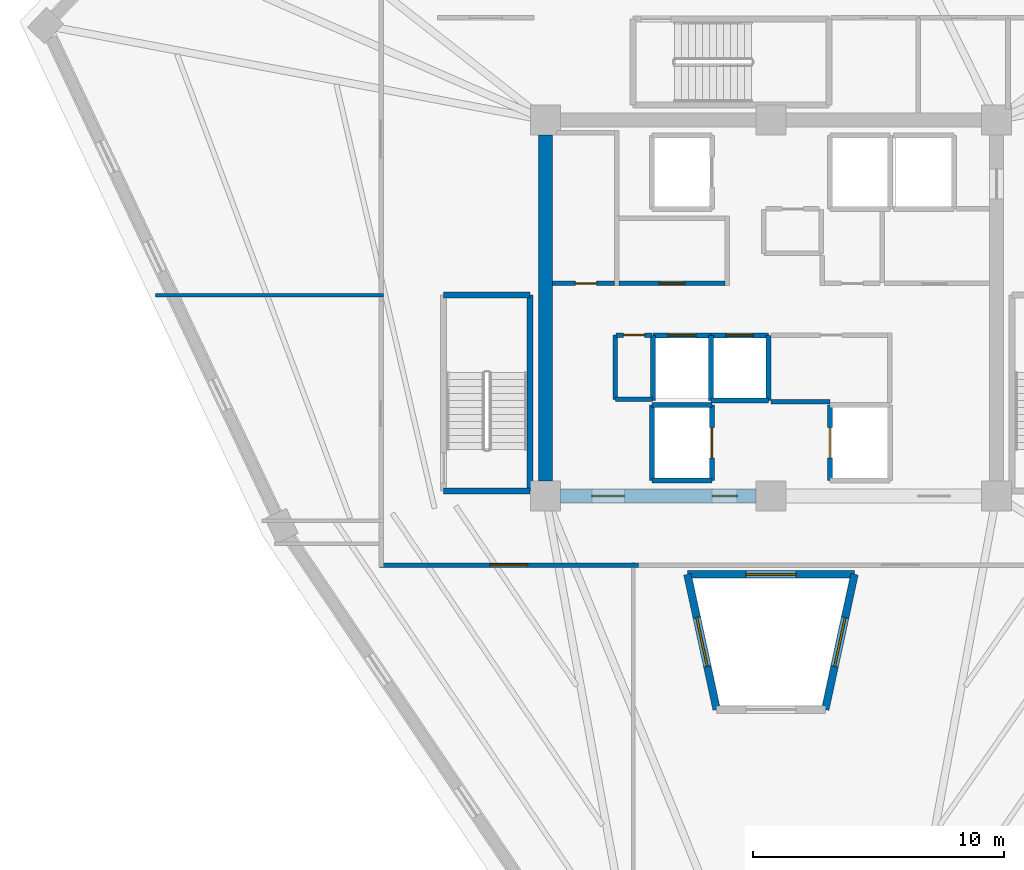
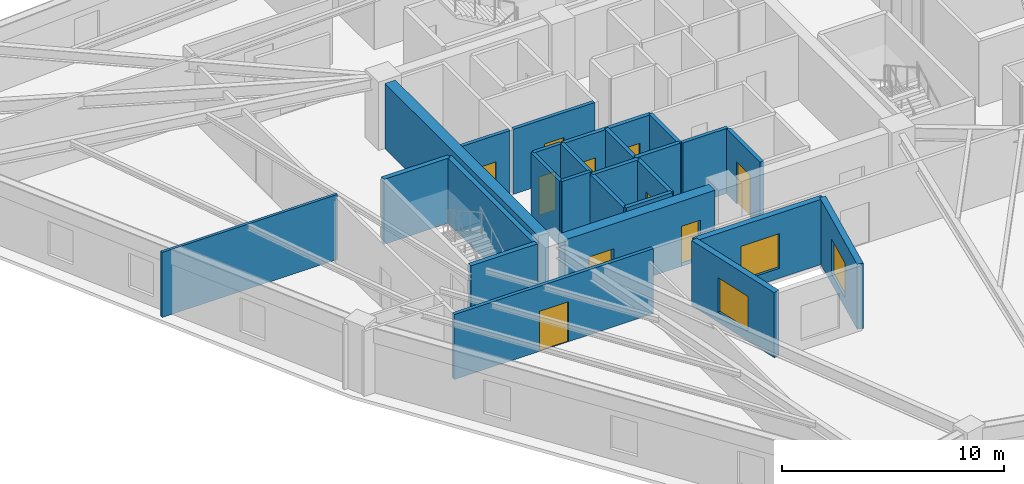
# One storey, part 3 of 8: 27 walls, 10 doors, 3 windows, 13 openings.
"""IFC4 building model written with IfcOpenShell, lengths in metres."""

from ifc_helpers import new_model, si_unit, direction, frame, frame_2d, origin, place, context, subcontext, project, spatial, rectangle, extrude, source, transform, mapped, material, layer, layer_set, type_object, element, fill, save


model = new_model("IFC4")

# Units and contexts
model_context = context("Model", 3, precision=1e-05, world=origin(), true_north=direction((0.0, 1.0)))
body_context = subcontext(model_context, "Body", "Model", "MODEL_VIEW")
ifc_project = project(units=[si_unit("LENGTHUNIT", "METRE"), si_unit("AREAUNIT", "SQUARE_METRE"), si_unit("VOLUMEUNIT", "CUBIC_METRE"), si_unit("PLANEANGLEUNIT", "RADIAN"), si_unit("MASSUNIT", "GRAM", prefix="KILO")], contexts=[model_context])

# Site, building, storey
site_placement = place(None, origin())
site = spatial("IfcSite", under=ifc_project, at=site_placement, CompositionType="ELEMENT")
building_placement = place(site_placement, origin())
building = spatial("IfcBuilding", under=site, at=building_placement, Name="Liaohun Quay Tower", CompositionType="ELEMENT")
storey_placement = place(building_placement, frame((0.0, 0.0, 343.5)))
storey = spatial("IfcBuildingStorey", under=building, at=storey_placement, Name="L89", CompositionType="ELEMENT", Elevation=343.5)

# Wall, opening, window
ifc_material_1 = material(Name="Concrete C50", Category="concrete")
ifc_layer_1 = layer(ifc_material_1, 0.300048828125, Name="Concrete C50", Category="concrete")
ifc_layer_set_1 = layer_set([ifc_layer_1], Name="Concrete C50")
wall_type_1 = type_object("IfcWallType", Name="WAL-ATR-300", PredefinedType="SOLIDWALL", material=ifc_layer_set_1)
wall_1_placement = place(storey_placement, frame((57.83203125, 37.970947265625, 0.0), z_axis=(0.0, 0.0, 1.0), x_axis=(-0.211433211418, 0.977392447848, 0.0)))
wall_1 = element("IfcWall", 1, at=wall_1_placement, inside=storey, type_object=wall_type_1, Name="L89 Atrium Fire Compartment Wall 1", PredefinedType="SOLIDWALL", context=body_context, shape_type="SweptSolid", body=[
    extrude(rectangle(XDim=5.524169921875, YDim=0.300048828125, at=frame_2d((2.76220703125, 0.0))), origin(), (0.0, 0.0, 1.0), 3.570068359375),
])
shared_shape_1 = source(origin(), body_context, "Body", "SweptSolid", [
    extrude(rectangle(XDim=2.0, YDim=1.89990234375, at=frame_2d((1.0, 0.949951171875))), frame((0.0, 0.159912109375, 0.0), z_axis=(0.0, -1.0, 0.0), x_axis=(1.0, 0.0, 0.0)), (0.0, 0.0, 1.0), 0.320068359375),
])
opening_1_placement = place(wall_1_placement, frame((1.761962890625, 0.0, 0.550048828125)))
opening_1 = element("IfcOpeningElement", 2, at=opening_1_placement, cuts=wall_1, Name="Opening W07", PredefinedType="OPENING", context=body_context, shape_type="MappedRepresentation", body=[
    mapped(shared_shape_1, transform((0.0, 0.0, 0.0), x_axis=(1.0, 0.0, 0.0), y_axis=(0.0, 1.0, 0.0), z_axis=(0.0, 0.0, 1.0), scale=1.0)),
])
ifc_material_2 = material(Name="Class A 180-min fire-resistant insulated glazing", Category="glass")
window_type = type_object("IfcWindowType", Name="WIN-ATR-FIR", PartitioningType="DOUBLE_PANEL_VERTICAL", PredefinedType="WINDOW", material=ifc_material_2)
shared_shape_2 = source(origin(), body_context, "Body", "SweptSolid", [
    extrude(rectangle(XDim=2.0, YDim=1.89990234375, at=frame_2d((1.0, 0.949951171875))), frame((0.0, 0.030029296875, 0.0), z_axis=(0.0, -1.0, 0.0), x_axis=(1.0, 0.0, 0.0)), (0.0, 0.0, 1.0), 0.06005859375),
])
window_1_placement = place(opening_1_placement, origin())
window_1 = element("IfcWindow", 3, at=window_1_placement, inside=storey, type_object=window_type, Name="L89 Atrium Fire-Resistant Glazing W07-1", OverallHeight=1.89990234375, OverallWidth=2.0, PartitioningType="DOUBLE_PANEL_VERTICAL", PredefinedType="WINDOW", context=body_context, shape_type="MappedRepresentation", body=[
    mapped(shared_shape_2, transform((0.0, 0.0, 0.0), x_axis=(1.0, 0.0, 0.0), y_axis=(0.0, 1.0, 0.0), z_axis=(0.0, 0.0, 1.0), scale=1.0)),
])
fill(opening_1, window_1)

wall_2_placement = place(storey_placement, frame((56.6640625, 43.3701171875, 0.0), z_axis=(0.0, 0.0, 1.0), x_axis=(1.0, 0.0, 0.0)))
wall_2 = element("IfcWall", 4, at=wall_2_placement, inside=storey, type_object=wall_type_1, Name="L89 Atrium Fire Compartment Wall 2", PredefinedType="SOLIDWALL", context=body_context, shape_type="SweptSolid", body=[
    extrude(rectangle(XDim=6.671875, YDim=0.300048828125, at=frame_2d((3.3359375, 0.0))), origin(), (0.0, 0.0, 1.0), 3.570068359375),
])
opening_2_placement = place(wall_2_placement, frame((2.3359375, 0.0, 0.550048828125)))
opening_2 = element("IfcOpeningElement", 5, at=opening_2_placement, cuts=wall_2, Name="Opening W07", PredefinedType="OPENING", context=body_context, shape_type="MappedRepresentation", body=[
    mapped(shared_shape_1, transform((0.0, 0.0, 0.0), x_axis=(1.0, 0.0, 0.0), y_axis=(0.0, 1.0, 0.0), z_axis=(0.0, 0.0, 1.0), scale=1.0)),
])
window_2_placement = place(opening_2_placement, origin())
window_2 = element("IfcWindow", 6, at=window_2_placement, inside=storey, type_object=window_type, Name="L89 Atrium Fire-Resistant Glazing W07-2", OverallHeight=1.89990234375, OverallWidth=2.0, PartitioningType="DOUBLE_PANEL_VERTICAL", PredefinedType="WINDOW", context=body_context, shape_type="MappedRepresentation", body=[
    mapped(shared_shape_2, transform((0.0, 0.0, 0.0), x_axis=(1.0, 0.0, 0.0), y_axis=(0.0, 1.0, 0.0), z_axis=(0.0, 0.0, 1.0), scale=1.0)),
])
fill(opening_2, window_2)

wall_3_placement = place(storey_placement, frame((63.3359375, 43.3701171875, 0.0), z_axis=(0.0, 0.0, 1.0), x_axis=(-0.211433211418, -0.977392447848, 0.0)))
wall_3 = element("IfcWall", 7, at=wall_3_placement, inside=storey, type_object=wall_type_1, Name="L89 Atrium Fire Compartment Wall 3", PredefinedType="SOLIDWALL", context=body_context, shape_type="SweptSolid", body=[
    extrude(rectangle(XDim=5.524169921875, YDim=0.300048828125, at=frame_2d((2.76220703125, 0.0))), origin(), (0.0, 0.0, 1.0), 3.570068359375),
])
opening_3_placement = place(wall_3_placement, frame((1.761962890625, 0.0, 0.550048828125)))
opening_3 = element("IfcOpeningElement", 8, at=opening_3_placement, cuts=wall_3, Name="Opening W07", PredefinedType="OPENING", context=body_context, shape_type="MappedRepresentation", body=[
    mapped(shared_shape_1, transform((0.0, 0.0, 0.0), x_axis=(1.0, 0.0, 0.0), y_axis=(0.0, 1.0, 0.0), z_axis=(0.0, 0.0, 1.0), scale=1.0)),
])
window_3_placement = place(opening_3_placement, origin())
window_3 = element("IfcWindow", 9, at=window_3_placement, inside=storey, type_object=window_type, Name="L89 Atrium Fire-Resistant Glazing W07-3", OverallHeight=1.89990234375, OverallWidth=2.0, PartitioningType="DOUBLE_PANEL_VERTICAL", PredefinedType="WINDOW", context=body_context, shape_type="MappedRepresentation", body=[
    mapped(shared_shape_2, transform((0.0, 0.0, 0.0), x_axis=(1.0, 0.0, 0.0), y_axis=(0.0, 1.0, 0.0), z_axis=(0.0, 0.0, 1.0), scale=1.0)),
])
fill(opening_3, window_3)

# Wall, openings, doors
ifc_layer_2 = layer(ifc_material_1, 0.550048828125, Name="Concrete C50", Category="concrete")
ifc_layer_set_2 = layer_set([ifc_layer_2], Name="Concrete C50")
wall_type_2 = type_object("IfcWallType", Name="WAL-COR-Z4", PredefinedType="SHEAR", material=ifc_layer_set_2)
wall_4_placement = place(storey_placement, frame((59.39990234375, 46.5, 0.0), z_axis=(0.0, 0.0, 1.0), x_axis=(-1.0, 0.0, 0.0)))
wall_4 = element("IfcWall", 10, at=wall_4_placement, inside=storey, type_object=wall_type_2, Name="L89 Central Core Shear Wall S-W", PredefinedType="SHEAR", context=body_context, shape_type="SweptSolid", body=[
    extrude(rectangle(XDim=7.7998046875, YDim=0.550048828125, at=frame_2d((3.89990234375, 0.0))), origin(), (0.0, 0.0, 1.0), 3.570068359375),
])
shared_shape_3 = source(origin(), body_context, "Body", "SweptSolid", [
    extrude(rectangle(XDim=1.300048828125, YDim=2.199951171875, at=frame_2d((0.64990234375, 1.10009765625))), frame((0.0, 0.284912109375, 0.0), z_axis=(0.0, -1.0, 0.0), x_axis=(1.0, 0.0, 0.0)), (0.0, 0.0, 1.0), 0.570068359375),
])
opening_4_placement = place(wall_4_placement, frame((5.25, 0.0, 0.0)))
opening_4 = element("IfcOpeningElement", 11, at=opening_4_placement, cuts=wall_4, Name="Opening FD1", PredefinedType="OPENING", context=body_context, shape_type="MappedRepresentation", body=[
    mapped(shared_shape_3, transform((0.0, 0.0, 0.0), x_axis=(1.0, 0.0, 0.0), y_axis=(0.0, 1.0, 0.0), z_axis=(0.0, 0.0, 1.0), scale=1.0)),
])
shared_shape_4 = source(origin(), body_context, "Body", "SweptSolid", [
    extrude(rectangle(XDim=1.0, YDim=2.199951171875, at=frame_2d((0.5, 1.10009765625))), frame((0.0, 0.284912109375, 0.0), z_axis=(0.0, -1.0, 0.0), x_axis=(1.0, 0.0, 0.0)), (0.0, 0.0, 1.0), 0.570068359375),
])
opening_5_placement = place(wall_4_placement, frame((0.75, 0.0, 0.0)))
opening_5 = element("IfcOpeningElement", 12, at=opening_5_placement, cuts=wall_4, Name="Opening FD2", PredefinedType="OPENING", context=body_context, shape_type="MappedRepresentation", body=[
    mapped(shared_shape_4, transform((0.0, 0.0, 0.0), x_axis=(1.0, 0.0, 0.0), y_axis=(0.0, 1.0, 0.0), z_axis=(0.0, 0.0, 1.0), scale=1.0)),
])
ifc_material_3 = material(Name="Galvanised steel smokeproof fire door", Category="steel")
door_type_1 = type_object("IfcDoorType", Name="DOR-FFL-1300", OperationType="NOTDEFINED", PredefinedType="DOOR", material=ifc_material_3)
shared_shape_5 = source(origin(), body_context, "Body", "SweptSolid", [
    extrude(rectangle(XDim=1.300048828125, YDim=2.199951171875, at=frame_2d((0.64990234375, 1.10009765625))), frame((0.0, 0.02490234375, 0.0), z_axis=(0.0, -1.0, 0.0), x_axis=(1.0, 0.0, 0.0)), (0.0, 0.0, 1.0), 0.050048828125),
])
door_1_placement = place(opening_4_placement, origin())
door_1 = element("IfcDoor", 13, at=door_1_placement, inside=storey, type_object=door_type_1, Name="L89 West Core Lift Lobby Smokeproof Door", OperationType="SINGLE_SWING_RIGHT", OverallHeight=2.199951171875, OverallWidth=1.300048828125, PredefinedType="DOOR", context=body_context, shape_type="MappedRepresentation", body=[
    mapped(shared_shape_5, transform((0.0, 0.0, 0.0), x_axis=(1.0, 0.0, 0.0), y_axis=(0.0, 1.0, 0.0), z_axis=(0.0, 0.0, 1.0), scale=1.0)),
])
fill(opening_4, door_1)
ifc_material_4 = material(Name="Galvanised steel smokeproof lobby fire door", Category="steel")
door_type_2 = type_object("IfcDoorType", Name="DOR-FFL-1000", OperationType="NOTDEFINED", PredefinedType="DOOR", material=ifc_material_4)
shared_shape_6 = source(origin(), body_context, "Body", "SweptSolid", [
    extrude(rectangle(XDim=1.0, YDim=2.199951171875, at=frame_2d((0.5, 1.10009765625))), frame((0.0, 0.02490234375, 0.0), z_axis=(0.0, -1.0, 0.0), x_axis=(1.0, 0.0, 0.0)), (0.0, 0.0, 1.0), 0.050048828125),
])
door_2_placement = place(opening_5_placement, origin())
door_2 = element("IfcDoor", 14, at=door_2_placement, inside=storey, type_object=door_type_2, Name="L89 South Firefighting Lobby Smokeproof Door", OperationType="SINGLE_SWING_LEFT", OverallHeight=2.199951171875, OverallWidth=1.0, PredefinedType="DOOR", context=body_context, shape_type="MappedRepresentation", body=[
    mapped(shared_shape_6, transform((0.0, 0.0, 0.0), x_axis=(1.0, 0.0, 0.0), y_axis=(0.0, 1.0, 0.0), z_axis=(0.0, 0.0, 1.0), scale=1.0)),
])
fill(opening_5, door_2)

# Wall
wall_5_placement = place(storey_placement, frame((51.0, 47.10009765625, 0.0), z_axis=(0.0, 0.0, 1.0), x_axis=(0.0, 1.0, 0.0)))
element("IfcWall", 15, at=wall_5_placement, inside=storey, type_object=wall_type_2, Name="L89 Central Core Shear Wall W", PredefinedType="SHEAR", context=body_context, shape_type="SweptSolid", body=[
    extrude(rectangle(XDim=13.7998046875, YDim=0.550048828125, at=frame_2d((6.89990234375, 0.0))), origin(), (0.0, 0.0, 1.0), 3.570068359375),
])

# Wall, opening, door
ifc_material_5 = material(Name="Autoclaved aerated concrete blockwork", Category="masonry")
ifc_layer_3 = layer(ifc_material_5, 0.179931640625, Name="Autoclaved aerated concrete blockwork", Category="masonry")
ifc_layer_set_3 = layer_set([ifc_layer_3], Name="Autoclaved aerated concrete blockwork")
wall_type_3 = type_object("IfcWallType", Name="WAL-PRT-COR", PredefinedType="PARTITIONING", material=ifc_layer_set_3)
wall_6_placement = place(storey_placement, frame((53.93994140625, 54.97998046875, 0.0), z_axis=(0.0, 0.0, 1.0), x_axis=(1.0, 0.0, 0.0)))
wall_6 = element("IfcWall", 16, at=wall_6_placement, inside=storey, type_object=wall_type_3, Name="L89 Interior Partition Wall 002", PredefinedType="PARTITIONING", context=body_context, shape_type="SweptSolid", body=[
    extrude(rectangle(XDim=4.219970703125, YDim=0.179931640625, at=frame_2d((2.10986328125, 0.0))), origin(), (0.0, 0.0, 1.0), 3.570068359375),
])
shared_shape_7 = source(origin(), body_context, "Body", "SweptSolid", [
    extrude(rectangle(XDim=1.0, YDim=2.199951171875, at=frame_2d((0.5, 1.10009765625))), frame((0.0, 0.099853515625, 0.0), z_axis=(0.0, -1.0, 0.0), x_axis=(1.0, 0.0, 0.0)), (0.0, 0.0, 1.0), 0.199951171875),
])
opening_6_placement = place(wall_6_placement, frame((1.610107421875, 0.0, 0.0)))
opening_6 = element("IfcOpeningElement", 17, at=opening_6_placement, cuts=wall_6, Name="Opening OD1", PredefinedType="OPENING", context=body_context, shape_type="MappedRepresentation", body=[
    mapped(shared_shape_7, transform((0.0, 0.0, 0.0), x_axis=(1.0, 0.0, 0.0), y_axis=(0.0, 1.0, 0.0), z_axis=(0.0, 0.0, 1.0), scale=1.0)),
])
ifc_material_6 = material(Name="Solid-core oak veneer timber leaf in steel frame", Category="steel")
door_type_3 = type_object("IfcDoorType", Name="DOR-OFF-1000", OperationType="NOTDEFINED", PredefinedType="DOOR", material=ifc_material_6)
door_3_placement = place(opening_6_placement, origin())
door_3 = element("IfcDoor", 18, at=door_3_placement, inside=storey, type_object=door_type_3, Name="L89 Core Staff Pantry and Tea Room Door", OperationType="SINGLE_SWING_RIGHT", OverallHeight=2.199951171875, OverallWidth=1.0, PredefinedType="DOOR", context=body_context, shape_type="MappedRepresentation", body=[
    mapped(shared_shape_6, transform((0.0, 0.0, 0.0), x_axis=(1.0, 0.0, 0.0), y_axis=(0.0, 1.0, 0.0), z_axis=(0.0, 0.0, 1.0), scale=1.0)),
])
fill(opening_6, door_3)

wall_7_placement = place(storey_placement, frame((51.27490234375, 54.97998046875, 0.0), z_axis=(0.0, 0.0, 1.0), x_axis=(1.0, 0.0, 0.0)))
wall_7 = element("IfcWall", 19, at=wall_7_placement, inside=storey, type_object=wall_type_3, Name="L89 Interior Partition Wall 003", PredefinedType="PARTITIONING", context=body_context, shape_type="SweptSolid", body=[
    extrude(rectangle(XDim=2.485107421875, YDim=0.179931640625, at=frame_2d((1.24267578125, 0.0))), origin(), (0.0, 0.0, 1.0), 3.570068359375),
])
shared_shape_8 = source(origin(), body_context, "Body", "SweptSolid", [
    extrude(rectangle(XDim=0.85009765625, YDim=2.10009765625, at=frame_2d((0.425048828125, 1.050048828125))), frame((0.0, 0.099853515625, 0.0), z_axis=(0.0, -1.0, 0.0), x_axis=(1.0, 0.0, 0.0)), (0.0, 0.0, 1.0), 0.199951171875),
])
opening_7_placement = place(wall_7_placement, frame((0.9150390625, 0.0, 0.0)))
opening_7 = element("IfcOpeningElement", 20, at=opening_7_placement, cuts=wall_7, Name="Opening AD1", PredefinedType="OPENING", context=body_context, shape_type="MappedRepresentation", body=[
    mapped(shared_shape_8, transform((0.0, 0.0, 0.0), x_axis=(1.0, 0.0, 0.0), y_axis=(0.0, 1.0, 0.0), z_axis=(0.0, 0.0, 1.0), scale=1.0)),
])
ifc_material_7 = material(Name="Steel riser inspection fire door", Category="steel")
door_type_4 = type_object("IfcDoorType", Name="DOR-SHF-850", OperationType="NOTDEFINED", PredefinedType="DOOR", material=ifc_material_7)
shared_shape_9 = source(origin(), body_context, "Body", "SweptSolid", [
    extrude(rectangle(XDim=0.85009765625, YDim=2.10009765625, at=frame_2d((0.425048828125, 1.050048828125))), frame((0.0, 0.02490234375, 0.0), z_axis=(0.0, -1.0, 0.0), x_axis=(1.0, 0.0, 0.0)), (0.0, 0.0, 1.0), 0.050048828125),
])
door_4_placement = place(opening_7_placement, origin())
door_4 = element("IfcDoor", 21, at=door_4_placement, inside=storey, type_object=door_type_4, Name="L89 Core High-Zone Archive and Riser Store Door", OperationType="SINGLE_SWING_LEFT", OverallHeight=2.10009765625, OverallWidth=0.85009765625, PredefinedType="DOOR", context=body_context, shape_type="MappedRepresentation", body=[
    mapped(shared_shape_9, transform((0.0, 0.0, 0.0), x_axis=(1.0, 0.0, 0.0), y_axis=(0.0, 1.0, 0.0), z_axis=(0.0, 0.0, 1.0), scale=1.0)),
])
fill(opening_7, door_4)

wall_8_placement = place(storey_placement, frame((53.820068359375, 52.919921875, 0.0), z_axis=(0.0, 0.0, 1.0), x_axis=(1.0, 0.0, 0.0)))
wall_8 = element("IfcWall", 22, at=wall_8_placement, inside=storey, type_object=wall_type_3, Name="L89 Interior Partition Wall 007", PredefinedType="PARTITIONING", context=body_context, shape_type="SweptSolid", body=[
    extrude(rectangle(XDim=1.429931640625, YDim=0.179931640625, at=frame_2d((0.71484375, 0.0))), origin(), (0.0, 0.0, 1.0), 3.570068359375),
])
opening_8_placement = place(wall_8_placement, frame((0.2900390625, 0.0, 0.0)))
opening_8 = element("IfcOpeningElement", 23, at=opening_8_placement, cuts=wall_8, Name="Opening AD1", PredefinedType="OPENING", context=body_context, shape_type="MappedRepresentation", body=[
    mapped(shared_shape_8, transform((0.0, 0.0, 0.0), x_axis=(1.0, 0.0, 0.0), y_axis=(0.0, 1.0, 0.0), z_axis=(0.0, 0.0, 1.0), scale=1.0)),
])
door_5_placement = place(opening_8_placement, origin())
door_5 = element("IfcDoor", 24, at=door_5_placement, inside=storey, type_object=door_type_4, Name="L89 Mechanical Smoke Duct Room Door", OperationType="SINGLE_SWING_LEFT", OverallHeight=2.10009765625, OverallWidth=0.85009765625, PredefinedType="DOOR", context=body_context, shape_type="MappedRepresentation", body=[
    mapped(shared_shape_9, transform((0.0, 0.0, 0.0), x_axis=(1.0, 0.0, 0.0), y_axis=(0.0, 1.0, 0.0), z_axis=(0.0, 0.0, 1.0), scale=1.0)),
])
fill(opening_8, door_5)

wall_9_placement = place(storey_placement, frame((54.715087890625, 43.739990234375, 0.0), z_axis=(0.0, 0.0, 1.0), x_axis=(-1.0, 0.0, 0.0)))
wall_9 = element("IfcWall", 25, at=wall_9_placement, inside=storey, type_object=wall_type_3, Name="L89 Interior Partition Wall 021", PredefinedType="PARTITIONING", context=body_context, shape_type="SweptSolid", body=[
    extrude(rectangle(XDim=10.344970703125, YDim=0.179931640625, at=frame_2d((5.17236328125, 0.0))), origin(), (0.0, 0.0, 1.0), 3.570068359375),
])
shared_shape_10 = source(origin(), body_context, "Body", "SweptSolid", [
    extrude(rectangle(XDim=1.5, YDim=2.199951171875, at=frame_2d((0.75, 1.10009765625))), frame((0.0, 0.099853515625, 0.0), z_axis=(0.0, -1.0, 0.0), x_axis=(1.0, 0.0, 0.0)), (0.0, 0.0, 1.0), 0.199951171875),
])
opening_9_placement = place(wall_9_placement, frame((4.423095703125, 0.0, 0.0)))
opening_9 = element("IfcOpeningElement", 26, at=opening_9_placement, cuts=wall_9, Name="Opening OD2", PredefinedType="OPENING", context=body_context, shape_type="MappedRepresentation", body=[
    mapped(shared_shape_10, transform((0.0, 0.0, 0.0), x_axis=(1.0, 0.0, 0.0), y_axis=(0.0, 1.0, 0.0), z_axis=(0.0, 0.0, 1.0), scale=1.0)),
])
ifc_material_8 = material(Name="Acoustic oak veneer double door")
door_type_5 = type_object("IfcDoorType", Name="DOR-OFF-1500", OperationType="DOUBLE_DOOR_SINGLE_SWING", PredefinedType="DOOR", material=ifc_material_8)
shared_shape_11 = source(origin(), body_context, "Body", "SweptSolid", [
    extrude(rectangle(XDim=1.5, YDim=2.199951171875, at=frame_2d((0.75, 1.10009765625))), frame((0.0, 0.02490234375, 0.0), z_axis=(0.0, -1.0, 0.0), x_axis=(1.0, 0.0, 0.0)), (0.0, 0.0, 1.0), 0.050048828125),
])
door_6_placement = place(opening_9_placement, origin())
door_6 = element("IfcDoor", 27, at=door_6_placement, inside=storey, type_object=door_type_5, Name="L89 Client Collaboration Lounge 07 Door", OperationType="DOUBLE_DOOR_SINGLE_SWING", OverallHeight=2.199951171875, OverallWidth=1.5, PredefinedType="DOOR", context=body_context, shape_type="MappedRepresentation", body=[
    mapped(shared_shape_11, transform((0.0, 0.0, 0.0), x_axis=(1.0, 0.0, 0.0), y_axis=(0.0, 1.0, 0.0), z_axis=(0.0, 0.0, 1.0), scale=1.0)),
])
fill(opening_9, door_6)

# Walls
wall_10_placement = place(storey_placement, frame((53.7900390625, 50.35009765625, 0.0), z_axis=(0.0, 0.0, 1.0), x_axis=(0.0, 1.0, 0.0)))
element("IfcWall", 28, at=wall_10_placement, inside=storey, type_object=wall_type_3, Name="L89 Interior Partition Wall 030", PredefinedType="PARTITIONING", context=body_context, shape_type="SweptSolid", body=[
    extrude(rectangle(XDim=2.56982421875, YDim=0.179931640625, at=frame_2d((1.284912109375, 0.0))), origin(), (0.0, 0.0, 1.0), 3.570068359375),
])
wall_11_placement = place(storey_placement, frame((53.7900390625, 50.35009765625, 0.0), z_axis=(0.0, 0.0, 1.0), x_axis=(1.0, 0.0, 0.0)))
element("IfcWall", 29, at=wall_11_placement, inside=storey, type_object=wall_type_3, Name="L89 Interior Partition Wall 031", PredefinedType="PARTITIONING", context=body_context, shape_type="SweptSolid", body=[
    extrude(rectangle(XDim=1.489990234375, YDim=0.179931640625, at=frame_2d((0.7451171875, 0.0))), origin(), (0.0, 0.0, 1.0), 3.570068359375),
])
wall_12_placement = place(storey_placement, frame((60.0, 50.25, 0.0), z_axis=(0.0, 0.0, 1.0), x_axis=(1.0, 0.0, 0.0)))
element("IfcWall", 30, at=wall_12_placement, inside=storey, type_object=wall_type_3, Name="L89 Interior Partition Wall 059", PredefinedType="PARTITIONING", context=body_context, shape_type="SweptSolid", body=[
    extrude(rectangle(XDim=2.35009765625, YDim=0.179931640625, at=frame_2d((1.175048828125, 0.0))), origin(), (0.0, 0.0, 1.0), 3.570068359375),
])
ifc_material_9 = material(Name="Gypsum board on twin steel studs", Category="steel")
ifc_layer_4 = layer(ifc_material_9, 0.139892578125, Name="Gypsum board on twin steel studs", Category="steel")
ifc_layer_set_4 = layer_set([ifc_layer_4], Name="Gypsum board on twin steel studs")
wall_type_4 = type_object("IfcWallType", Name="WAL-PRT-OFF", PredefinedType="PARTITIONING", material=ifc_layer_set_4)
wall_13_placement = place(storey_placement, frame((44.5400390625, 54.5, 0.0), z_axis=(0.0, 0.0, 1.0), x_axis=(-1.0, 0.0, 0.0)))
element("IfcWall", 31, at=wall_13_placement, inside=storey, type_object=wall_type_4, Name="L89 Interior Partition Wall 050", PredefinedType="PARTITIONING", context=body_context, shape_type="SweptSolid", body=[
    extrude(rectangle(XDim=9.10693359375, YDim=0.139892578125, at=frame_2d((4.553466796875, 0.0))), origin(), (0.0, 0.0, 1.0), 3.570068359375),
])
ifc_layer_5 = layer(ifc_material_1, 0.239990234375, Name="Concrete C50", Category="concrete")
ifc_layer_set_5 = layer_set([ifc_layer_5], Name="Concrete C50")
wall_type_5 = type_object("IfcWallType", Name="WAL-SHF-200", PredefinedType="SOLIDWALL", material=ifc_layer_set_5)
wall_14_placement = place(storey_placement, frame((46.93994140625, 46.699951171875, 0.0), z_axis=(0.0, 0.0, 1.0), x_axis=(1.0, 0.0, 0.0)))
element("IfcWall", 32, at=wall_14_placement, inside=storey, type_object=wall_type_5, Name="L89 Stairwell ST-1 Structural Core Wall S", PredefinedType="SOLIDWALL", context=body_context, shape_type="SweptSolid", body=[
    extrude(rectangle(XDim=3.43994140625, YDim=0.239990234375, at=frame_2d((1.719970703125, 0.0))), origin(), (0.0, 0.0, 1.0), 3.570068359375),
])
wall_15_placement = place(storey_placement, frame((50.3798828125, 46.699951171875, 0.0), z_axis=(0.0, 0.0, 1.0), x_axis=(0.0, 1.0, 0.0)))
element("IfcWall", 33, at=wall_15_placement, inside=storey, type_object=wall_type_5, Name="L89 Stairwell ST-1 Structural Core Wall E", PredefinedType="SOLIDWALL", context=body_context, shape_type="SweptSolid", body=[
    extrude(rectangle(XDim=7.820068359375, YDim=0.239990234375, at=frame_2d((3.91015625, 0.0))), origin(), (0.0, 0.0, 1.0), 3.570068359375),
])
wall_16_placement = place(storey_placement, frame((50.3798828125, 54.52001953125, 0.0), z_axis=(0.0, 0.0, 1.0), x_axis=(-1.0, 0.0, 0.0)))
element("IfcWall", 34, at=wall_16_placement, inside=storey, type_object=wall_type_5, Name="L89 Stairwell ST-1 Structural Core Wall N", PredefinedType="SOLIDWALL", context=body_context, shape_type="SweptSolid", body=[
    extrude(rectangle(XDim=3.43994140625, YDim=0.239990234375, at=frame_2d((1.719970703125, 0.0))), origin(), (0.0, 0.0, 1.0), 3.570068359375),
])
wall_17_placement = place(storey_placement, frame((55.25, 47.1201171875, 0.0), z_axis=(0.0, 0.0, 1.0), x_axis=(1.0, 0.0, 0.0)))
element("IfcWall", 35, at=wall_17_placement, inside=storey, type_object=wall_type_5, Name="L89 Lift FF-01 Hoistway Wall S", PredefinedType="SOLIDWALL", context=body_context, shape_type="SweptSolid", body=[
    extrude(rectangle(XDim=2.39990234375, YDim=0.199951171875, at=frame_2d((1.199951171875, 0.0))), origin(), (0.0, 0.0, 1.0), 3.570068359375),
])

# Wall, opening, door
wall_18_placement = place(storey_placement, frame((57.64990234375, 47.1201171875, 0.0), z_axis=(0.0, 0.0, 1.0), x_axis=(0.0, 1.0, 0.0)))
wall_18 = element("IfcWall", 36, at=wall_18_placement, inside=storey, type_object=wall_type_5, Name="L89 Lift FF-01 Hoistway Wall E", PredefinedType="SOLIDWALL", context=body_context, shape_type="SweptSolid", body=[
    extrude(rectangle(XDim=3.0, YDim=0.199951171875, at=frame_2d((1.5, 0.0))), origin(), (0.0, 0.0, 1.0), 3.570068359375),
])
shared_shape_12 = source(origin(), body_context, "Body", "SweptSolid", [
    extrude(rectangle(XDim=1.199951171875, YDim=2.300048828125, at=frame_2d((0.60009765625, 1.14990234375))), frame((0.0, 0.10986328125, 0.0), z_axis=(0.0, -1.0, 0.0), x_axis=(1.0, 0.0, 0.0)), (0.0, 0.0, 1.0), 0.219970703125),
])
opening_10_placement = place(wall_18_placement, frame((0.89990234375, 0.0, 0.0)))
opening_10 = element("IfcOpeningElement", 37, at=opening_10_placement, cuts=wall_18, Name="Opening LD2", PredefinedType="OPENING", context=body_context, shape_type="MappedRepresentation", body=[
    mapped(shared_shape_12, transform((0.0, 0.0, 0.0), x_axis=(1.0, 0.0, 0.0), y_axis=(0.0, 1.0, 0.0), z_axis=(0.0, 0.0, 1.0), scale=1.0)),
])
ifc_material_10 = material(Name="Brushed stainless steel stretcher landing door", Category="steel")
door_type_6 = type_object("IfcDoorType", Name="DOR-LFT-1200", OperationType="SLIDING_TO_LEFT", PredefinedType="DOOR", material=ifc_material_10)
shared_shape_13 = source(origin(), body_context, "Body", "SweptSolid", [
    extrude(rectangle(XDim=1.199951171875, YDim=2.300048828125, at=frame_2d((0.60009765625, 1.14990234375))), frame((0.0, 0.02490234375, 0.0), z_axis=(0.0, -1.0, 0.0), x_axis=(1.0, 0.0, 0.0)), (0.0, 0.0, 1.0), 0.050048828125),
])
door_7_placement = place(opening_10_placement, origin())
door_7 = element("IfcDoor", 38, at=door_7_placement, inside=storey, type_object=door_type_6, Name="L89 Lift FF-01 Sliding Landing Door", OperationType="SLIDING_TO_LEFT", OverallHeight=2.300048828125, OverallWidth=1.199951171875, PredefinedType="DOOR", context=body_context, shape_type="MappedRepresentation", body=[
    mapped(shared_shape_13, transform((0.0, 0.0, 0.0), x_axis=(1.0, 0.0, 0.0), y_axis=(0.0, 1.0, 0.0), z_axis=(0.0, 0.0, 1.0), scale=1.0)),
])
fill(opening_10, door_7)

# Walls
wall_19_placement = place(storey_placement, frame((57.64990234375, 50.1201171875, 0.0), z_axis=(0.0, 0.0, 1.0), x_axis=(-1.0, 0.0, 0.0)))
element("IfcWall", 39, at=wall_19_placement, inside=storey, type_object=wall_type_5, Name="L89 Lift FF-01 Hoistway Wall N", PredefinedType="SOLIDWALL", context=body_context, shape_type="SweptSolid", body=[
    extrude(rectangle(XDim=2.39990234375, YDim=0.199951171875, at=frame_2d((1.199951171875, 0.0))), origin(), (0.0, 0.0, 1.0), 3.570068359375),
])
wall_20_placement = place(storey_placement, frame((55.25, 50.1201171875, 0.0), z_axis=(0.0, 0.0, 1.0), x_axis=(0.0, -1.0, 0.0)))
element("IfcWall", 40, at=wall_20_placement, inside=storey, type_object=wall_type_5, Name="L89 Lift FF-01 Hoistway Wall W", PredefinedType="SOLIDWALL", context=body_context, shape_type="SweptSolid", body=[
    extrude(rectangle(XDim=3.0, YDim=0.199951171875, at=frame_2d((1.5, 0.0))), origin(), (0.0, 0.0, 1.0), 3.570068359375),
])

# Wall, opening, door
wall_21_placement = place(storey_placement, frame((62.35009765625, 50.1201171875, 0.0), z_axis=(0.0, 0.0, 1.0), x_axis=(0.0, -1.0, 0.0)))
wall_21 = element("IfcWall", 41, at=wall_21_placement, inside=storey, type_object=wall_type_5, Name="L89 Lift FF-02 Hoistway Wall W", PredefinedType="SOLIDWALL", context=body_context, shape_type="SweptSolid", body=[
    extrude(rectangle(XDim=3.0, YDim=0.199951171875, at=frame_2d((1.5, 0.0))), origin(), (0.0, 0.0, 1.0), 3.570068359375),
])
opening_11_placement = place(wall_21_placement, frame((0.89990234375, 0.0, 0.0)))
opening_11 = element("IfcOpeningElement", 42, at=opening_11_placement, cuts=wall_21, Name="Opening LD2", PredefinedType="OPENING", context=body_context, shape_type="MappedRepresentation", body=[
    mapped(shared_shape_12, transform((0.0, 0.0, 0.0), x_axis=(1.0, 0.0, 0.0), y_axis=(0.0, 1.0, 0.0), z_axis=(0.0, 0.0, 1.0), scale=1.0)),
])
door_8_placement = place(opening_11_placement, origin())
door_8 = element("IfcDoor", 43, at=door_8_placement, inside=storey, type_object=door_type_6, Name="L89 Lift FF-02 Sliding Landing Door", OperationType="SLIDING_TO_LEFT", OverallHeight=2.300048828125, OverallWidth=1.199951171875, PredefinedType="DOOR", context=body_context, shape_type="MappedRepresentation", body=[
    mapped(shared_shape_13, transform((0.0, 0.0, 0.0), x_axis=(1.0, 0.0, 0.0), y_axis=(0.0, 1.0, 0.0), z_axis=(0.0, 0.0, 1.0), scale=1.0)),
])
fill(opening_11, door_8)

# Wall
wall_22_placement = place(storey_placement, frame((57.60009765625, 50.300048828125, 0.0), z_axis=(0.0, 0.0, 1.0), x_axis=(0.0, 1.0, 0.0)))
element("IfcWall", 44, at=wall_22_placement, inside=storey, type_object=wall_type_5, Name="L89 Lift PL-4A Hoistway Wall E", PredefinedType="SOLIDWALL", context=body_context, shape_type="SweptSolid", body=[
    extrude(rectangle(XDim=2.599853515625, YDim=0.199951171875, at=frame_2d((1.2998046875, 0.0))), origin(), (0.0, 0.0, 1.0), 3.570068359375),
])

# Wall, opening, door
wall_23_placement = place(storey_placement, frame((57.60009765625, 52.89990234375, 0.0), z_axis=(0.0, 0.0, 1.0), x_axis=(-1.0, 0.0, 0.0)))
wall_23 = element("IfcWall", 45, at=wall_23_placement, inside=storey, type_object=wall_type_5, Name="L89 Lift PL-4A Hoistway Wall N", PredefinedType="SOLIDWALL", context=body_context, shape_type="SweptSolid", body=[
    extrude(rectangle(XDim=2.300048828125, YDim=0.199951171875, at=frame_2d((1.14990234375, 0.0))), origin(), (0.0, 0.0, 1.0), 3.570068359375),
])
shared_shape_14 = source(origin(), body_context, "Body", "SweptSolid", [
    extrude(rectangle(XDim=1.10009765625, YDim=2.199951171875, at=frame_2d((0.550048828125, 1.10009765625))), frame((0.0, 0.10986328125, 0.0), z_axis=(0.0, -1.0, 0.0), x_axis=(1.0, 0.0, 0.0)), (0.0, 0.0, 1.0), 0.219970703125),
])
opening_12_placement = place(wall_23_placement, frame((0.60009765625, 0.0, 0.0)))
opening_12 = element("IfcOpeningElement", 46, at=opening_12_placement, cuts=wall_23, Name="Opening LD1", PredefinedType="OPENING", context=body_context, shape_type="MappedRepresentation", body=[
    mapped(shared_shape_14, transform((0.0, 0.0, 0.0), x_axis=(1.0, 0.0, 0.0), y_axis=(0.0, 1.0, 0.0), z_axis=(0.0, 0.0, 1.0), scale=1.0)),
])
ifc_material_11 = material(Name="Brushed stainless steel landing door", Category="steel")
door_type_7 = type_object("IfcDoorType", Name="DOR-LFT-1100", OperationType="SLIDING_TO_LEFT", PredefinedType="DOOR", material=ifc_material_11)
shared_shape_15 = source(origin(), body_context, "Body", "SweptSolid", [
    extrude(rectangle(XDim=1.10009765625, YDim=2.199951171875, at=frame_2d((0.550048828125, 1.10009765625))), frame((0.0, 0.02490234375, 0.0), z_axis=(0.0, -1.0, 0.0), x_axis=(1.0, 0.0, 0.0)), (0.0, 0.0, 1.0), 0.050048828125),
])
door_9_placement = place(opening_12_placement, origin())
door_9 = element("IfcDoor", 47, at=door_9_placement, inside=storey, type_object=door_type_7, Name="L89 Lift PL-4A Sliding Landing Door", OperationType="SLIDING_TO_LEFT", OverallHeight=2.199951171875, OverallWidth=1.10009765625, PredefinedType="DOOR", context=body_context, shape_type="MappedRepresentation", body=[
    mapped(shared_shape_15, transform((0.0, 0.0, 0.0), x_axis=(1.0, 0.0, 0.0), y_axis=(0.0, 1.0, 0.0), z_axis=(0.0, 0.0, 1.0), scale=1.0)),
])
fill(opening_12, door_9)

# Walls
wall_24_placement = place(storey_placement, frame((55.300048828125, 52.89990234375, 0.0), z_axis=(0.0, 0.0, 1.0), x_axis=(0.0, -1.0, 0.0)))
element("IfcWall", 48, at=wall_24_placement, inside=storey, type_object=wall_type_5, Name="L89 Lift PL-4A Hoistway Wall W", PredefinedType="SOLIDWALL", context=body_context, shape_type="SweptSolid", body=[
    extrude(rectangle(XDim=2.599853515625, YDim=0.199951171875, at=frame_2d((1.2998046875, 0.0))), origin(), (0.0, 0.0, 1.0), 3.570068359375),
])
wall_25_placement = place(storey_placement, frame((57.60009765625, 50.300048828125, 0.0), z_axis=(0.0, 0.0, 1.0), x_axis=(1.0, 0.0, 0.0)))
element("IfcWall", 49, at=wall_25_placement, inside=storey, type_object=wall_type_5, Name="L89 Lift PL-4B Hoistway Wall S", PredefinedType="SOLIDWALL", context=body_context, shape_type="SweptSolid", body=[
    extrude(rectangle(XDim=2.2998046875, YDim=0.199951171875, at=frame_2d((1.14990234375, 0.0))), origin(), (0.0, 0.0, 1.0), 3.570068359375),
])
wall_26_placement = place(storey_placement, frame((59.89990234375, 50.300048828125, 0.0), z_axis=(0.0, 0.0, 1.0), x_axis=(0.0, 1.0, 0.0)))
element("IfcWall", 50, at=wall_26_placement, inside=storey, type_object=wall_type_5, Name="L89 Lift PL-4B Hoistway Wall E", PredefinedType="SOLIDWALL", context=body_context, shape_type="SweptSolid", body=[
    extrude(rectangle(XDim=2.599853515625, YDim=0.199951171875, at=frame_2d((1.2998046875, 0.0))), origin(), (0.0, 0.0, 1.0), 3.570068359375),
])

# Wall, opening, door
wall_27_placement = place(storey_placement, frame((59.89990234375, 52.89990234375, 0.0), z_axis=(0.0, 0.0, 1.0), x_axis=(-1.0, 0.0, 0.0)))
wall_27 = element("IfcWall", 51, at=wall_27_placement, inside=storey, type_object=wall_type_5, Name="L89 Lift PL-4B Hoistway Wall N", PredefinedType="SOLIDWALL", context=body_context, shape_type="SweptSolid", body=[
    extrude(rectangle(XDim=2.2998046875, YDim=0.199951171875, at=frame_2d((1.14990234375, 0.0))), origin(), (0.0, 0.0, 1.0), 3.570068359375),
])
opening_13_placement = place(wall_27_placement, frame((0.60009765625, 0.0, 0.0)))
opening_13 = element("IfcOpeningElement", 52, at=opening_13_placement, cuts=wall_27, Name="Opening LD1", PredefinedType="OPENING", context=body_context, shape_type="MappedRepresentation", body=[
    mapped(shared_shape_14, transform((0.0, 0.0, 0.0), x_axis=(1.0, 0.0, 0.0), y_axis=(0.0, 1.0, 0.0), z_axis=(0.0, 0.0, 1.0), scale=1.0)),
])
door_10_placement = place(opening_13_placement, origin())
door_10 = element("IfcDoor", 53, at=door_10_placement, inside=storey, type_object=door_type_7, Name="L89 Lift PL-4B Sliding Landing Door", OperationType="SLIDING_TO_LEFT", OverallHeight=2.199951171875, OverallWidth=1.10009765625, PredefinedType="DOOR", context=body_context, shape_type="MappedRepresentation", body=[
    mapped(shared_shape_15, transform((0.0, 0.0, 0.0), x_axis=(1.0, 0.0, 0.0), y_axis=(0.0, 1.0, 0.0), z_axis=(0.0, 0.0, 1.0), scale=1.0)),
])
fill(opening_13, door_10)

save(model, "model.ifc")
